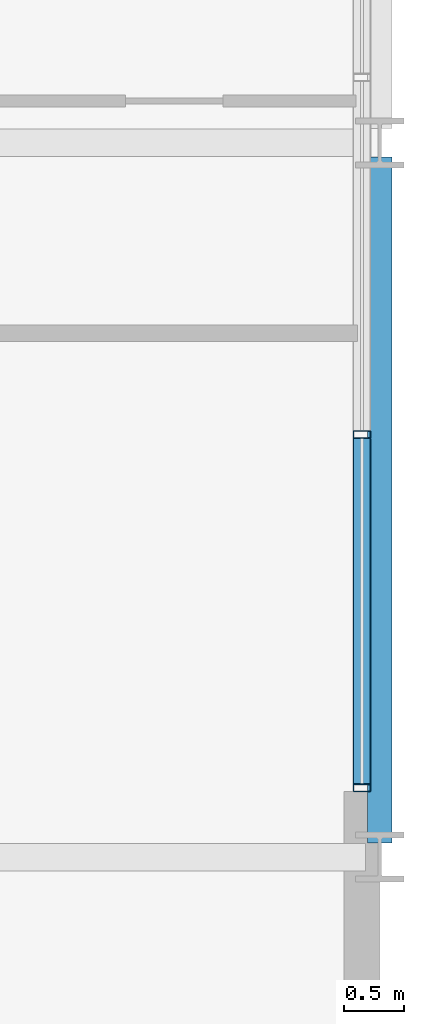
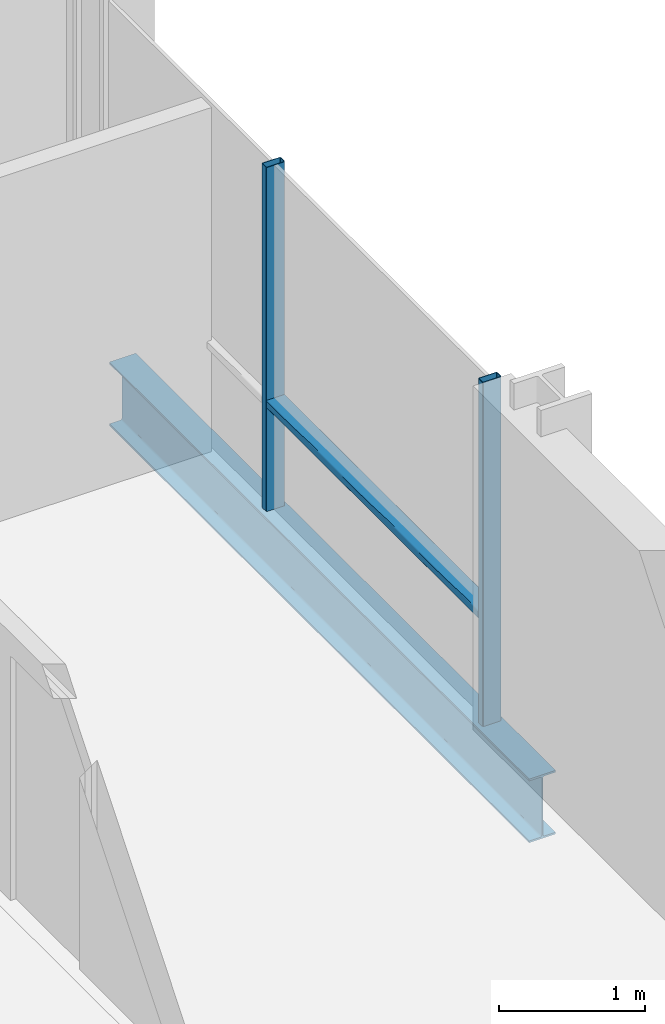
# One storey, part 17 of 41: 3 members, 1 beam, 1 element without a shape of its own.
"""IFC4 building model written with IfcOpenShell, lengths in metres."""

from ifc_helpers import new_model, si_unit, direction, frame, origin, origin_2d, place, context, subcontext, project, spatial, hollow_rectangle, i_section, extrude, material, layer, layer_set, material_profile, profile_set, type_object, element, aggregate, save


model = new_model("IFC4")

# Units and contexts
model_context = context("Model", 3, precision=1e-05, world=origin(), true_north=direction((0.0, 1.0)))
body_context = subcontext(model_context, "Body", "Model", "MODEL_VIEW")
ifc_project = project(units=[si_unit("LENGTHUNIT", "METRE"), si_unit("AREAUNIT", "SQUARE_METRE"), si_unit("VOLUMEUNIT", "CUBIC_METRE"), si_unit("PLANEANGLEUNIT", "RADIAN"), si_unit("MASSUNIT", "GRAM", prefix="KILO")], contexts=[model_context])

# Site, building, storey
site_placement = place(None, origin())
site = spatial("IfcSite", under=ifc_project, at=site_placement, CompositionType="ELEMENT")
building_placement = place(site_placement, origin())
building = spatial("IfcBuilding", under=site, at=building_placement, Name="Brevholm Reach", CompositionType="ELEMENT")
storey_placement = place(building_placement, frame((0.0, 0.0, 163.5)))
storey = spatial("IfcBuildingStorey", under=building, at=storey_placement, Name="L49", CompositionType="ELEMENT", Elevation=163.5)

# Beam
ifc_material_1 = material(Name="Structural Steel S355J2", Category="steel")
ifc_material_profile_1 = material_profile(ifc_material_1, i_section(OverallWidth=0.209228515625, OverallDepth=0.533203125, WebThickness=0.010009765625, FlangeThickness=0.015625, FilletRadius=0.0126953125, at=origin_2d()), Name="UKB 533x210x92")
ifc_profile_set_1 = profile_set([ifc_material_profile_1], Name="Structural Steel S355J2")
beam_type = type_object("IfcBeamType", Name="BM-SP533", PredefinedType="SPANDREL", material=ifc_profile_set_1)
beam_placement = place(storey_placement, frame((60.0, 10.1201171875, -0.486572265625), z_axis=(0.0, 1.0, 0.0), x_axis=(-1.0, 0.0, 0.0)))
element("IfcBeam", 1, at=beam_placement, inside=storey, type_object=beam_type, Name="L49 SP-02 Framing Beam", PredefinedType="SPANDREL", context=body_context, shape_type="SweptSolid", body=[
    extrude(i_section(OverallWidth=0.209228515625, OverallDepth=0.533203125, WebThickness=0.010009765625, FlangeThickness=0.015625, FilletRadius=0.0126953125, at=origin_2d()), origin(), (0.0, 0.0, 1.0), 5.759765625),
])

# Curtain wall, members
ifc_material_2 = material(Name="Dark Anodised Aluminium 6063-T6 and Solar-Control Glass", Category="aluminium")
ifc_layer = layer(ifc_material_2, 0.14990234375)
ifc_layer_set = layer_set([ifc_layer], Name="Dark Anodised Aluminium 6063-T6 and Solar-Control Glass")
curtain_wall_type = type_object("IfcCurtainWallType", Name="CW-01", PredefinedType="NOTDEFINED", material=ifc_layer_set)
curtain_wall_placement = place(storey_placement, origin())
curtain_wall = element("IfcCurtainWall", 2, at=curtain_wall_placement, inside=storey, type_object=curtain_wall_type, Name="L49 Curtain Wall CW-01", PredefinedType="NOTDEFINED")
ifc_material_3 = material(Name="Dark Anodised Aluminium 6063-T6", Category="aluminium")
ifc_material_profile_2 = material_profile(ifc_material_3, hollow_rectangle(XDim=0.06494140625, YDim=0.14990234375, WallThickness=0.0048828125, InnerFilletRadius=0.0048828125, OuterFilletRadius=0.010009765625, at=origin_2d()), Name="RHS 150x65x5")
ifc_profile_set_2 = profile_set([ifc_material_profile_2], Name="Dark Anodised Aluminium 6063-T6")
member_type_1 = type_object("IfcMemberType", Name="CWM-150", PredefinedType="MULLION", material=ifc_profile_set_2)
member_1_placement = place(storey_placement, frame((59.85009765625, 10.58251953125, 0.0), z_axis=(0.0, 0.0, 1.0), x_axis=(0.0, 1.0, 0.0)))
member_1 = element("IfcMember", 3, at=member_1_placement, type_object=member_type_1, Name="CM-150 Mullion 1", PredefinedType="MULLION", context=body_context, shape_type="SweptSolid", body=[
    extrude(hollow_rectangle(XDim=0.06494140625, YDim=0.14990234375, WallThickness=0.0048828125, InnerFilletRadius=0.0048828125, OuterFilletRadius=0.010009765625, at=origin_2d()), origin(), (0.0, 0.0, 1.0), 2.8798828125),
])
member_2_placement = place(storey_placement, frame((59.85009765625, 13.550048828125, 0.0), z_axis=(0.0, 0.0, 1.0), x_axis=(0.0, 1.0, 0.0)))
member_2 = element("IfcMember", 4, at=member_2_placement, type_object=member_type_1, Name="CM-150 Mullion 2", PredefinedType="MULLION", context=body_context, shape_type="SweptSolid", body=[
    extrude(hollow_rectangle(XDim=0.06494140625, YDim=0.14990234375, WallThickness=0.0048828125, InnerFilletRadius=0.0048828125, OuterFilletRadius=0.010009765625, at=origin_2d()), origin(), (0.0, 0.0, 1.0), 2.8798828125),
])
ifc_material_4 = material(Name="Dark Anodised Aluminium 6063-T6", Category="aluminium")
ifc_material_profile_3 = material_profile(ifc_material_4, hollow_rectangle(XDim=0.06494140625, YDim=0.14990234375, WallThickness=0.0048828125, InnerFilletRadius=0.0048828125, OuterFilletRadius=0.010009765625, at=origin_2d()), Name="RHS 150x65x5")
ifc_profile_set_3 = profile_set([ifc_material_profile_3], Name="Dark Anodised Aluminium 6063-T6")
member_type_2 = type_object("IfcMemberType", Name="CWT-150", PredefinedType="NOTDEFINED", material=ifc_profile_set_3)
member_3_placement = place(storey_placement, frame((59.85009765625, 10.614990234375, 0.89990234375), z_axis=(0.0, 1.0, 0.0), x_axis=(0.0, 0.0, 1.0)))
member_3 = element("IfcMember", 5, at=member_3_placement, type_object=member_type_2, Name="CT-150 Transom 1.1", ObjectType="TRANSOM", PredefinedType="USERDEFINED", context=body_context, shape_type="SweptSolid", body=[
    extrude(hollow_rectangle(XDim=0.06494140625, YDim=0.14990234375, WallThickness=0.0048828125, InnerFilletRadius=0.0048828125, OuterFilletRadius=0.010009765625, at=origin_2d()), origin(), (0.0, 0.0, 1.0), 2.902587890625),
])
aggregate(curtain_wall, [member_1, member_2, member_3])

save(model, "model.ifc")
